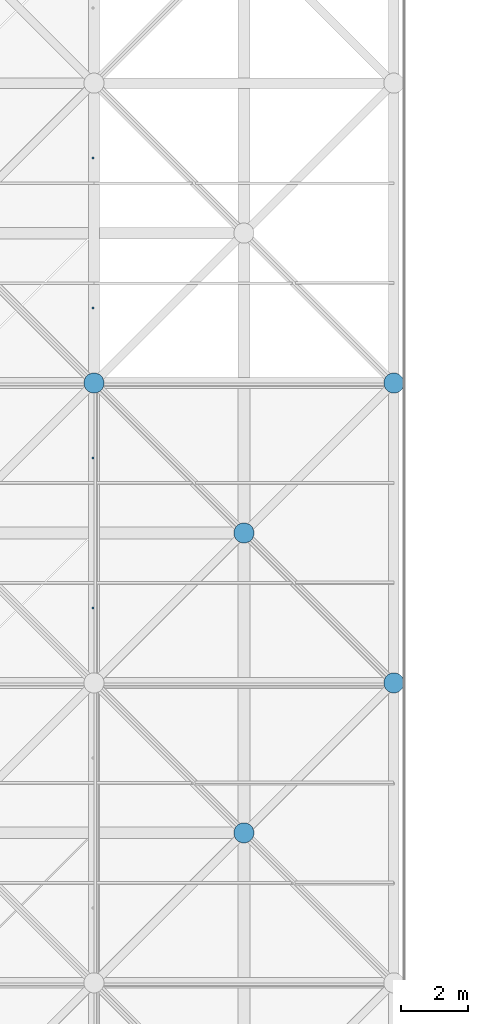
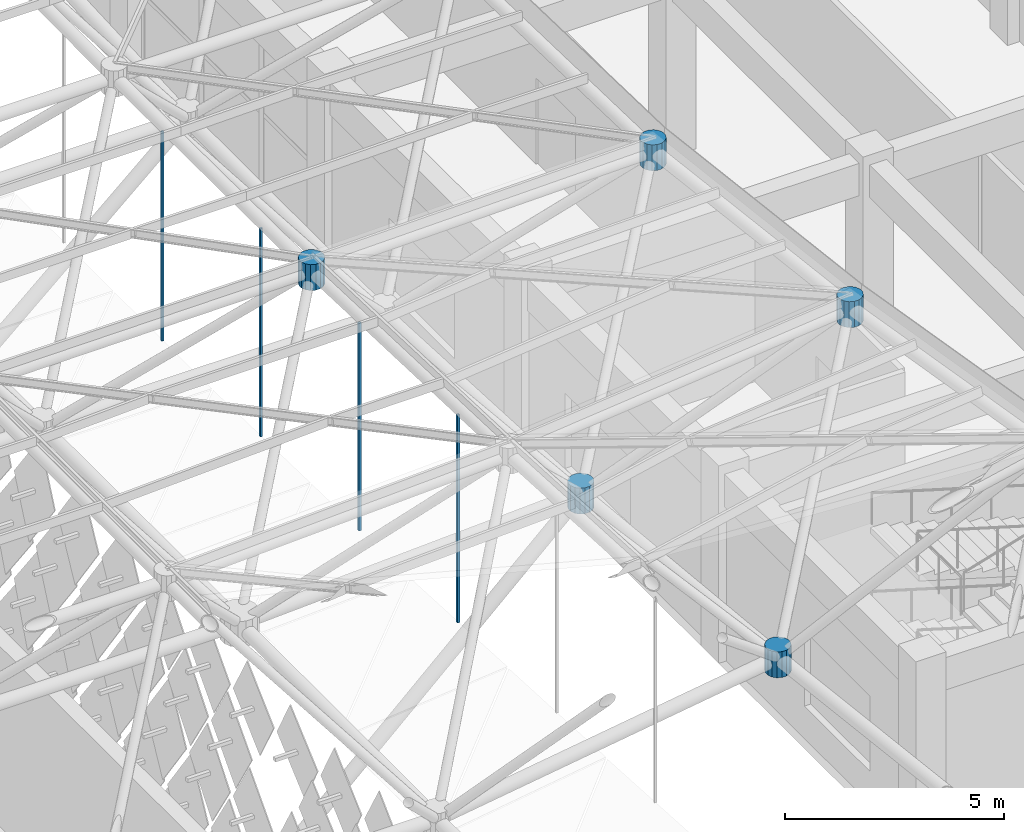
# One storey, part 337 of 437: 9 discrete accessories.
"""IFC4 building model written with IfcOpenShell, lengths in metres."""

from ifc_helpers import new_model, si_unit, direction, frame, origin, place, context, subcontext, project, spatial, polyline, outline, extrude, material, type_object, element, save


model = new_model("IFC4")

# Units and contexts
model_context = context("Model", 3, precision=1e-05, world=origin(), true_north=direction((0.0, 1.0)))
body_context = subcontext(model_context, "Body", "Model", "MODEL_VIEW")
ifc_project = project(units=[si_unit("LENGTHUNIT", "METRE"), si_unit("AREAUNIT", "SQUARE_METRE"), si_unit("VOLUMEUNIT", "CUBIC_METRE"), si_unit("PLANEANGLEUNIT", "RADIAN"), si_unit("MASSUNIT", "GRAM", prefix="KILO")], contexts=[model_context])

# Site, building, storey
site_placement = place(None, origin())
site = spatial("IfcSite", under=ifc_project, at=site_placement, CompositionType="ELEMENT")
building_placement = place(site_placement, origin())
building = spatial("IfcBuilding", under=site, at=building_placement, Name="Opaline Strait Convention Centre", CompositionType="ELEMENT")
storey_placement = place(building_placement, frame((0.0, 0.0, 11.5)))
storey = spatial("IfcBuildingStorey", under=building, at=storey_placement, Name="L02", CompositionType="ELEMENT", Elevation=11.5)

# Discrete accessories
ifc_material_1 = material(Name="Steel Q355B", Category="steel")
discrete_accessory_type_1 = type_object("IfcDiscreteAccessoryType", Name="Soffit hanger 60x60 steel", PredefinedType="BRACKET", material=ifc_material_1)
discrete_accessory_1_placement = place(storey_placement, frame((0.0, 0.0, 12.32763671875)))
element("IfcDiscreteAccessory", 1, at=discrete_accessory_1_placement, inside=storey, type_object=discrete_accessory_type_1, Name="Soffit hanger", PredefinedType="BRACKET", context=body_context, shape_type="SweptSolid", body=[
    extrude(outline(polyline([(265.43505859375, 87.719970703125), (265.4951171875, 87.719970703125), (265.4951171875, 87.780029296875), (265.43505859375, 87.780029296875), (265.43505859375, 87.719970703125)])), origin(), (0.0, 0.0, 1.0), 5.799072265625),
])
discrete_accessory_2_placement = place(storey_placement, frame((0.0, 0.0, 12.163818359375)))
element("IfcDiscreteAccessory", 2, at=discrete_accessory_2_placement, inside=storey, type_object=discrete_accessory_type_1, Name="Soffit hanger", PredefinedType="BRACKET", context=body_context, shape_type="SweptSolid", body=[
    extrude(outline(polyline([(265.43505859375, 92.219970703125), (265.4951171875, 92.219970703125), (265.4951171875, 92.280029296875), (265.43505859375, 92.280029296875), (265.43505859375, 92.219970703125)])), origin(), (0.0, 0.0, 1.0), 5.794677734375),
])
discrete_accessory_3_placement = place(storey_placement, frame((0.0, 0.0, 12.051513671875)))
element("IfcDiscreteAccessory", 3, at=discrete_accessory_3_placement, inside=storey, type_object=discrete_accessory_type_1, Name="Soffit hanger", PredefinedType="BRACKET", context=body_context, shape_type="SweptSolid", body=[
    extrude(outline(polyline([(265.43505859375, 96.719970703125), (265.4951171875, 96.719970703125), (265.4951171875, 96.780029296875), (265.43505859375, 96.780029296875), (265.43505859375, 96.719970703125)])), origin(), (0.0, 0.0, 1.0), 5.806640625),
])
discrete_accessory_4_placement = place(storey_placement, frame((0.0, 0.0, 11.994384765625)))
element("IfcDiscreteAccessory", 4, at=discrete_accessory_4_placement, inside=storey, type_object=discrete_accessory_type_1, Name="Soffit hanger", PredefinedType="BRACKET", context=body_context, shape_type="SweptSolid", body=[
    extrude(outline(polyline([(265.43505859375, 101.219970703125), (265.4951171875, 101.219970703125), (265.4951171875, 101.280029296875), (265.43505859375, 101.280029296875), (265.43505859375, 101.219970703125)])), origin(), (0.0, 0.0, 1.0), 5.8310546875),
])
ifc_material_2 = material(Name="Cast steel ZG300-500H (300 MPa)", Category="steel")
discrete_accessory_type_2 = type_object("IfcDiscreteAccessoryType", Name="Space frame node hub D600", PredefinedType="USERDEFINED", material=ifc_material_2)
discrete_accessory_5_placement = place(storey_placement, frame((0.0, 0.0, 17.677001953125)))
element("IfcDiscreteAccessory", 5, at=discrete_accessory_5_placement, inside=storey, type_object=discrete_accessory_type_2, Name="Top node 21/7", ObjectType="NODE HUB", PredefinedType="USERDEFINED", context=body_context, shape_type="SweptSolid", body=[
    extrude(outline(polyline([(265.800048828125, 94.559814453125), (265.75439453125, 94.669921875), (265.669921875, 94.75439453125), (265.559814453125, 94.800048828125), (265.440185546875, 94.800048828125), (265.330078125, 94.75439453125), (265.24560546875, 94.669921875), (265.199951171875, 94.559814453125), (265.199951171875, 94.440185546875), (265.24560546875, 94.330078125), (265.330078125, 94.24560546875), (265.440185546875, 94.199951171875), (265.559814453125, 94.199951171875), (265.669921875, 94.24560546875), (265.75439453125, 94.330078125), (265.800048828125, 94.440185546875), (265.800048828125, 94.559814453125)])), origin(), (0.0, 0.0, 1.0), 0.719970703125),
])
discrete_accessory_6_placement = place(storey_placement, frame((0.0, 0.0, 18.951416015625)))
element("IfcDiscreteAccessory", 6, at=discrete_accessory_6_placement, inside=storey, type_object=discrete_accessory_type_2, Name="Top node 22/6", ObjectType="NODE HUB", PredefinedType="USERDEFINED", context=body_context, shape_type="SweptSolid", body=[
    extrude(outline(polyline([(274.800048828125, 85.559814453125), (274.75439453125, 85.669921875), (274.669921875, 85.75439453125), (274.559814453125, 85.800048828125), (274.440185546875, 85.800048828125), (274.330078125, 85.75439453125), (274.24560546875, 85.669921875), (274.199951171875, 85.559814453125), (274.199951171875, 85.440185546875), (274.24560546875, 85.330078125), (274.330078125, 85.24560546875), (274.440185546875, 85.199951171875), (274.559814453125, 85.199951171875), (274.669921875, 85.24560546875), (274.75439453125, 85.330078125), (274.800048828125, 85.440185546875), (274.800048828125, 85.559814453125)])), origin(), (0.0, 0.0, 1.0), 0.719970703125),
])
discrete_accessory_7_placement = place(storey_placement, frame((0.0, 0.0, 17.8642578125)))
element("IfcDiscreteAccessory", 7, at=discrete_accessory_7_placement, inside=storey, type_object=discrete_accessory_type_2, Name="Top node 22/7", ObjectType="NODE HUB", PredefinedType="USERDEFINED", context=body_context, shape_type="SweptSolid", body=[
    extrude(outline(polyline([(274.800048828125, 94.559814453125), (274.75439453125, 94.669921875), (274.669921875, 94.75439453125), (274.559814453125, 94.800048828125), (274.440185546875, 94.800048828125), (274.330078125, 94.75439453125), (274.24560546875, 94.669921875), (274.199951171875, 94.559814453125), (274.199951171875, 94.440185546875), (274.24560546875, 94.330078125), (274.330078125, 94.24560546875), (274.440185546875, 94.199951171875), (274.559814453125, 94.199951171875), (274.669921875, 94.24560546875), (274.75439453125, 94.330078125), (274.800048828125, 94.440185546875), (274.800048828125, 94.559814453125)])), origin(), (0.0, 0.0, 1.0), 0.719970703125),
])
discrete_accessory_8_placement = place(storey_placement, frame((0.0, 0.0, 13.49462890625)))
element("IfcDiscreteAccessory", 8, at=discrete_accessory_8_placement, inside=storey, type_object=discrete_accessory_type_2, Name="Bottom node 21/5", ObjectType="NODE HUB", PredefinedType="USERDEFINED", context=body_context, shape_type="SweptSolid", body=[
    extrude(outline(polyline([(270.300048828125, 81.059814453125), (270.25439453125, 81.169921875), (270.169921875, 81.25439453125), (270.059814453125, 81.300048828125), (269.940185546875, 81.300048828125), (269.830078125, 81.25439453125), (269.74560546875, 81.169921875), (269.699951171875, 81.059814453125), (269.699951171875, 80.940185546875), (269.74560546875, 80.830078125), (269.830078125, 80.74560546875), (269.940185546875, 80.699951171875), (270.059814453125, 80.699951171875), (270.169921875, 80.74560546875), (270.25439453125, 80.830078125), (270.300048828125, 80.940185546875), (270.300048828125, 81.059814453125)])), origin(), (0.0, 0.0, 1.0), 0.719970703125),
])
discrete_accessory_9_placement = place(storey_placement, frame((0.0, 0.0, 12.599365234375)))
element("IfcDiscreteAccessory", 9, at=discrete_accessory_9_placement, inside=storey, type_object=discrete_accessory_type_2, Name="Bottom node 21/6", ObjectType="NODE HUB", PredefinedType="USERDEFINED", context=body_context, shape_type="SweptSolid", body=[
    extrude(outline(polyline([(270.300048828125, 90.059814453125), (270.25439453125, 90.169921875), (270.169921875, 90.25439453125), (270.059814453125, 90.300048828125), (269.940185546875, 90.300048828125), (269.830078125, 90.25439453125), (269.74560546875, 90.169921875), (269.699951171875, 90.059814453125), (269.699951171875, 89.940185546875), (269.74560546875, 89.830078125), (269.830078125, 89.74560546875), (269.940185546875, 89.699951171875), (270.059814453125, 89.699951171875), (270.169921875, 89.74560546875), (270.25439453125, 89.830078125), (270.300048828125, 89.940185546875), (270.300048828125, 90.059814453125)])), origin(), (0.0, 0.0, 1.0), 0.719970703125),
])

save(model, "model.ifc")
